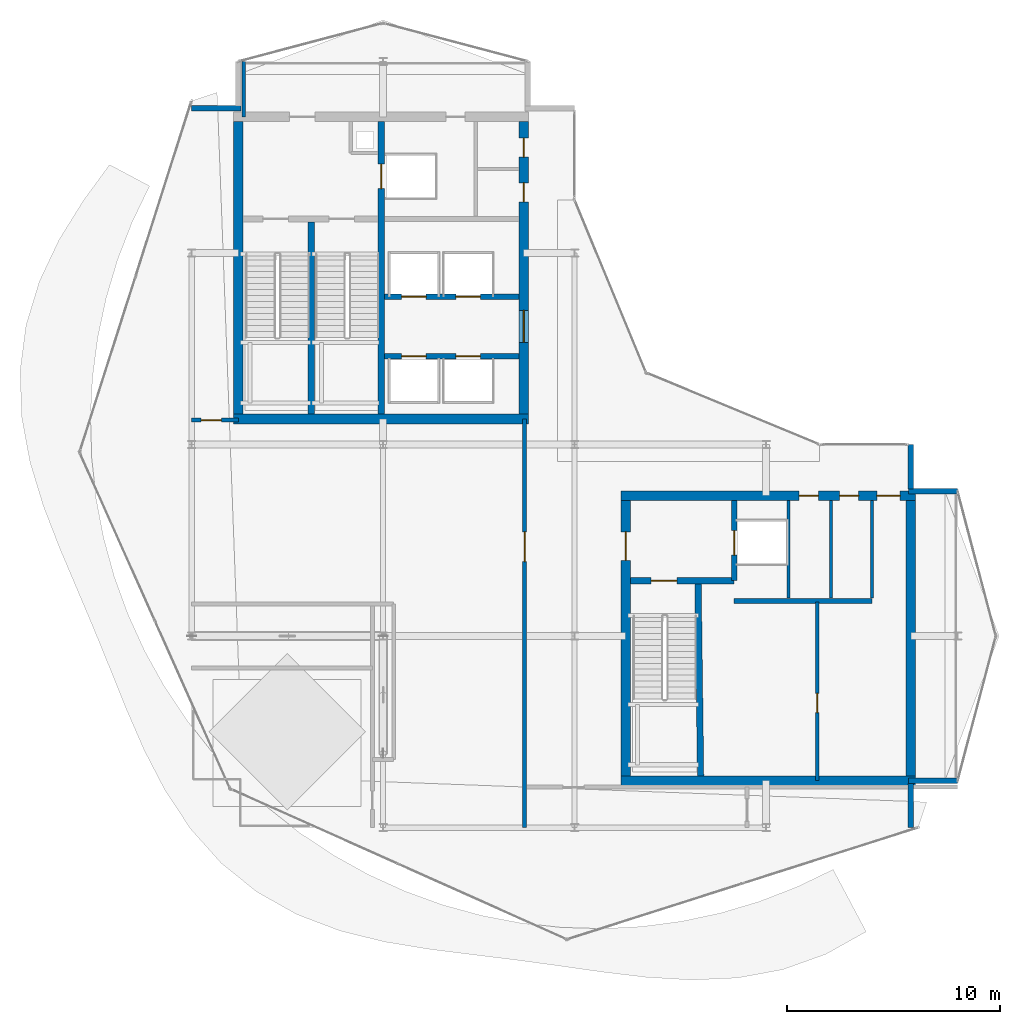
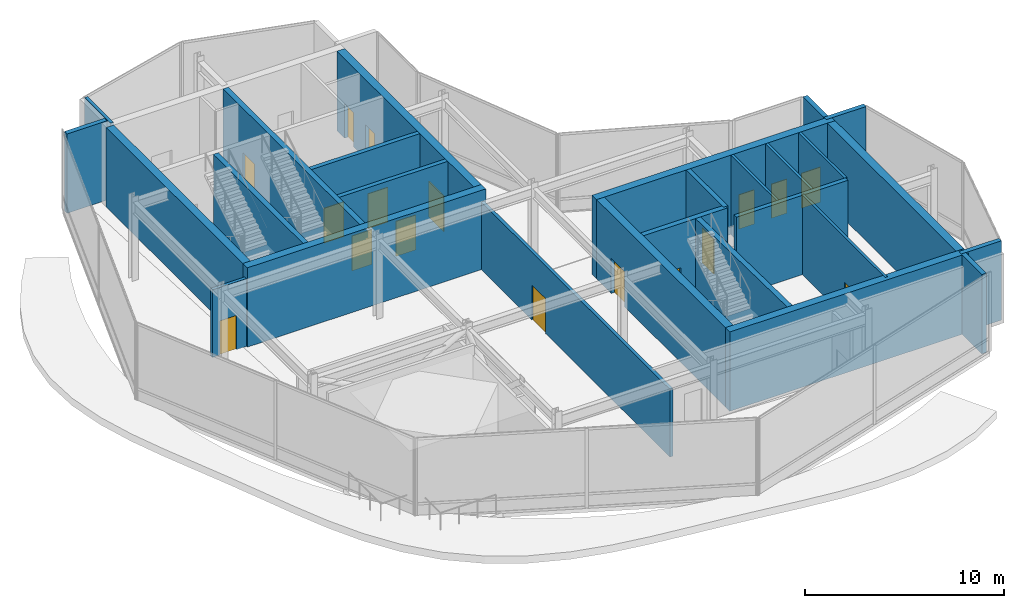
# One storey, part 17 of 21: 27 walls, 17 doors, 17 openings.
"""IFC4 building model written with IfcOpenShell, lengths in metres."""

from ifc_helpers import new_model, si_unit, direction, frame, frame_2d, origin, place, context, subcontext, project, spatial, rectangle, extrude, material, layer, layer_set, type_object, element, fill, save


model = new_model("IFC4")

# Units and contexts
model_context = context("Model", 3, precision=1e-05, world=origin(), true_north=direction((0.0, 1.0)))
body_context = subcontext(model_context, "Body", "Model", "MODEL_VIEW")
ifc_project = project(units=[si_unit("LENGTHUNIT", "METRE"), si_unit("AREAUNIT", "SQUARE_METRE"), si_unit("VOLUMEUNIT", "CUBIC_METRE"), si_unit("PLANEANGLEUNIT", "RADIAN"), si_unit("MASSUNIT", "GRAM", prefix="KILO")], contexts=[model_context])

# Site, building, storey
site_placement = place(None, origin())
site = spatial("IfcSite", under=ifc_project, at=site_placement, CompositionType="ELEMENT")
building_placement = place(site_placement, origin())
building = spatial("IfcBuilding", under=site, at=building_placement, Name="Solvaryn Broadcast Tower", CompositionType="ELEMENT")
storey_placement = place(building_placement, frame((0.0, 0.0, 297.39990234375)))
storey = spatial("IfcBuildingStorey", under=building, at=storey_placement, Name="L75", CompositionType="ELEMENT", Elevation=297.39990234375)

# Walls
ifc_material_1 = material(Name="Concrete f'c 70 MPa", Category="concrete")
ifc_layer_1 = layer(ifc_material_1, 0.449951171875)
ifc_layer_set_1 = layer_set([ifc_layer_1], Name="CW-SHEAR-450")
wall_type_1 = type_object("IfcWallType", Name="CW-SHEAR-450", PredefinedType="SHEAR", material=ifc_layer_set_1)
wall_1_placement = place(storey_placement, frame((10.97509765625, 28.199951171875, 0.0), z_axis=(0.0, 0.0, 1.0), x_axis=(1.0, 0.0, 0.0)))
element("IfcWall", 1, at=wall_1_placement, inside=storey, type_object=wall_type_1, Name="L75 West Core South Shear Wall", PredefinedType="SHEAR", context=body_context, shape_type="SweptSolid", body=[
    extrude(rectangle(XDim=13.849853515625, YDim=0.449951171875, at=frame_2d((6.9248046875, 0.0))), origin(), (0.0, 0.0, 1.0), 4.8701171875),
])
wall_2_placement = place(storey_placement, frame((11.199951171875, 42.175048828125, 0.0), z_axis=(0.0, 0.0, 1.0), x_axis=(0.0, -1.0, 0.0)))
element("IfcWall", 2, at=wall_2_placement, inside=storey, type_object=wall_type_1, Name="L75 West Core West Shear Wall", PredefinedType="SHEAR", context=body_context, shape_type="SweptSolid", body=[
    extrude(rectangle(XDim=13.75, YDim=0.449951171875, at=frame_2d((6.875, 0.0))), origin(), (0.0, 0.0, 1.0), 4.8701171875),
])

# Wall, openings, doors
wall_3_placement = place(storey_placement, frame((24.60009765625, 28.425048828125, 0.0), z_axis=(0.0, 0.0, 1.0), x_axis=(0.0, 1.0, 0.0)))
wall_3 = element("IfcWall", 3, at=wall_3_placement, inside=storey, type_object=wall_type_1, Name="L75 West Core East Shear Wall", PredefinedType="SHEAR", context=body_context, shape_type="SweptSolid", body=[
    extrude(rectangle(XDim=13.75, YDim=0.449951171875, at=frame_2d((6.875, 0.0))), origin(), (0.0, 0.0, 1.0), 4.8701171875),
])
opening_1_placement = place(wall_3_placement, frame((3.375, 0.0, 0.0)))
opening_1 = element("IfcOpeningElement", 4, at=opening_1_placement, cuts=wall_3, Name="Opening FD60A", PredefinedType="OPENING", context=body_context, shape_type="SweptSolid", body=[
    extrude(rectangle(XDim=1.5, YDim=2.199951171875, at=frame_2d((0.75, 1.10009765625))), frame((0.0, 0.235107421875, 0.0), z_axis=(0.0, -1.0, 0.0), x_axis=(1.0, 0.0, 0.0)), (0.0, 0.0, 1.0), 0.469970703125),
])
opening_2_placement = place(wall_3_placement, frame((9.97509765625, 0.0, 0.0)))
opening_2 = element("IfcOpeningElement", 5, at=opening_2_placement, cuts=wall_3, Name="Opening FD60C", PredefinedType="OPENING", context=body_context, shape_type="SweptSolid", body=[
    extrude(rectangle(XDim=0.89990234375, YDim=2.10009765625, at=frame_2d((0.449951171875, 1.050048828125))), frame((0.0, 0.235107421875, 0.0), z_axis=(0.0, -1.0, 0.0), x_axis=(1.0, 0.0, 0.0)), (0.0, 0.0, 1.0), 0.469970703125),
])
opening_3_placement = place(wall_3_placement, frame((12.074951171875, 0.0, 0.0)))
opening_3 = element("IfcOpeningElement", 6, at=opening_3_placement, cuts=wall_3, Name="Opening FD60C", PredefinedType="OPENING", context=body_context, shape_type="SweptSolid", body=[
    extrude(rectangle(XDim=0.89990234375, YDim=2.10009765625, at=frame_2d((0.449951171875, 1.050048828125))), frame((0.0, 0.235107421875, 0.0), z_axis=(0.0, -1.0, 0.0), x_axis=(1.0, 0.0, 0.0)), (0.0, 0.0, 1.0), 0.469970703125),
])
ifc_material_2 = material(Name="Flush Acoustic Steel and Timber Door Assembly", Category="steel")
door_type_1 = type_object("IfcDoorType", Name="FD60-CORR-1500X2200", OperationType="NOTDEFINED", PredefinedType="DOOR", material=ifc_material_2)
door_1_placement = place(opening_1_placement, origin())
door_1 = element("IfcDoor", 7, at=door_1_placement, inside=storey, type_object=door_type_1, Name="L75 West Elevator Lobby Corridor Door", OperationType="DOUBLE_DOOR_SINGLE_SWING", OverallHeight=2.199951171875, OverallWidth=1.5, PredefinedType="DOOR", context=body_context, shape_type="SweptSolid", body=[
    extrude(rectangle(XDim=1.5, YDim=2.199951171875, at=frame_2d((0.75, 1.10009765625))), frame((0.0, 0.02490234375, 0.0), z_axis=(0.0, -1.0, 0.0), x_axis=(1.0, 0.0, 0.0)), (0.0, 0.0, 1.0), 0.050048828125),
])
fill(opening_1, door_1)
ifc_material_3 = material(Name="Flush Acoustic Steel and Timber Door Assembly", Category="steel")
door_type_2 = type_object("IfcDoorType", Name="FD60-SERV-900X2100", OperationType="NOTDEFINED", PredefinedType="DOOR", material=ifc_material_3)
door_2_placement = place(opening_2_placement, origin())
door_2 = element("IfcDoor", 8, at=door_2_placement, inside=storey, type_object=door_type_2, Name="L75 West Core Service Door 1", OperationType="SINGLE_SWING_LEFT", OverallHeight=2.10009765625, OverallWidth=0.89990234375, PredefinedType="DOOR", context=body_context, shape_type="SweptSolid", body=[
    extrude(rectangle(XDim=0.89990234375, YDim=2.10009765625, at=frame_2d((0.449951171875, 1.050048828125))), frame((0.0, 0.02490234375, 0.0), z_axis=(0.0, -1.0, 0.0), x_axis=(1.0, 0.0, 0.0)), (0.0, 0.0, 1.0), 0.050048828125),
])
fill(opening_2, door_2)
door_3_placement = place(opening_3_placement, origin())
door_3 = element("IfcDoor", 9, at=door_3_placement, inside=storey, type_object=door_type_2, Name="L75 West Core Janitor Door", OperationType="SINGLE_SWING_RIGHT", OverallHeight=2.10009765625, OverallWidth=0.89990234375, PredefinedType="DOOR", context=body_context, shape_type="SweptSolid", body=[
    extrude(rectangle(XDim=0.89990234375, YDim=2.10009765625, at=frame_2d((0.449951171875, 1.050048828125))), frame((0.0, 0.02490234375, 0.0), z_axis=(0.0, -1.0, 0.0), x_axis=(1.0, 0.0, 0.0)), (0.0, 0.0, 1.0), 0.050048828125),
])
fill(opening_3, door_3)

# Wall
wall_4_placement = place(storey_placement, frame((29.175048828125, 11.199951171875, 0.0), z_axis=(0.0, 0.0, 1.0), x_axis=(1.0, 0.0, 0.0)))
element("IfcWall", 10, at=wall_4_placement, inside=storey, type_object=wall_type_1, Name="L75 East Core South Shear Wall", PredefinedType="SHEAR", context=body_context, shape_type="SweptSolid", body=[
    extrude(rectangle(XDim=13.849853515625, YDim=0.449951171875, at=frame_2d((6.9248046875, 0.0))), origin(), (0.0, 0.0, 1.0), 4.8701171875),
])

# Wall, openings, doors
wall_5_placement = place(storey_placement, frame((43.02490234375, 24.60009765625, 0.0), z_axis=(0.0, 0.0, 1.0), x_axis=(-1.0, 0.0, 0.0)))
wall_5 = element("IfcWall", 11, at=wall_5_placement, inside=storey, type_object=wall_type_1, Name="L75 East Core North Shear Wall", PredefinedType="SHEAR", context=body_context, shape_type="SweptSolid", body=[
    extrude(rectangle(XDim=13.849853515625, YDim=0.449951171875, at=frame_2d((6.9248046875, 0.0))), origin(), (0.0, 0.0, 1.0), 4.8701171875),
])
opening_4_placement = place(wall_5_placement, frame((0.72509765625, 0.0, 0.0)))
opening_4 = element("IfcOpeningElement", 12, at=opening_4_placement, cuts=wall_5, Name="Opening FD90C", PredefinedType="OPENING", context=body_context, shape_type="SweptSolid", body=[
    extrude(rectangle(XDim=1.10009765625, YDim=2.14990234375, at=frame_2d((0.550048828125, 1.074951171875))), frame((0.0, 0.235107421875, 0.0), z_axis=(0.0, -1.0, 0.0), x_axis=(1.0, 0.0, 0.0)), (0.0, 0.0, 1.0), 0.469970703125),
])
opening_5_placement = place(wall_5_placement, frame((2.675048828125, 0.0, 0.0)))
opening_5 = element("IfcOpeningElement", 13, at=opening_5_placement, cuts=wall_5, Name="Opening FD60C", PredefinedType="OPENING", context=body_context, shape_type="SweptSolid", body=[
    extrude(rectangle(XDim=0.89990234375, YDim=2.10009765625, at=frame_2d((0.449951171875, 1.050048828125))), frame((0.0, 0.235107421875, 0.0), z_axis=(0.0, -1.0, 0.0), x_axis=(1.0, 0.0, 0.0)), (0.0, 0.0, 1.0), 0.469970703125),
])
opening_6_placement = place(wall_5_placement, frame((4.574951171875, 0.0, 0.0)))
opening_6 = element("IfcOpeningElement", 14, at=opening_6_placement, cuts=wall_5, Name="Opening FD60C", PredefinedType="OPENING", context=body_context, shape_type="SweptSolid", body=[
    extrude(rectangle(XDim=0.89990234375, YDim=2.10009765625, at=frame_2d((0.449951171875, 1.050048828125))), frame((0.0, 0.235107421875, 0.0), z_axis=(0.0, -1.0, 0.0), x_axis=(1.0, 0.0, 0.0)), (0.0, 0.0, 1.0), 0.469970703125),
])
door_4_placement = place(opening_5_placement, origin())
door_4 = element("IfcDoor", 15, at=door_4_placement, inside=storey, type_object=door_type_2, Name="L75 Staff Restroom Door", OperationType="SINGLE_SWING_LEFT", OverallHeight=2.10009765625, OverallWidth=0.89990234375, PredefinedType="DOOR", context=body_context, shape_type="SweptSolid", body=[
    extrude(rectangle(XDim=0.89990234375, YDim=2.10009765625, at=frame_2d((0.449951171875, 1.050048828125))), frame((0.0, 0.02490234375, 0.0), z_axis=(0.0, -1.0, 0.0), x_axis=(1.0, 0.0, 0.0)), (0.0, 0.0, 1.0), 0.050048828125),
])
fill(opening_5, door_4)
door_5_placement = place(opening_6_placement, origin())
door_5 = element("IfcDoor", 16, at=door_5_placement, inside=storey, type_object=door_type_2, Name="L75 Accessible WC Door", OperationType="SINGLE_SWING_RIGHT", OverallHeight=2.10009765625, OverallWidth=0.89990234375, PredefinedType="DOOR", context=body_context, shape_type="SweptSolid", body=[
    extrude(rectangle(XDim=0.89990234375, YDim=2.10009765625, at=frame_2d((0.449951171875, 1.050048828125))), frame((0.0, 0.02490234375, 0.0), z_axis=(0.0, -1.0, 0.0), x_axis=(1.0, 0.0, 0.0)), (0.0, 0.0, 1.0), 0.050048828125),
])
fill(opening_6, door_5)
ifc_material_4 = material(Name="Flush Acoustic Steel and Timber Door Assembly", Category="steel")
door_type_3 = type_object("IfcDoorType", Name="FD90-PLANT-1100X2150", OperationType="NOTDEFINED", PredefinedType="DOOR", material=ifc_material_4)
door_6_placement = place(opening_4_placement, origin())
door_6 = element("IfcDoor", 17, at=door_6_placement, inside=storey, type_object=door_type_3, Name="L75 East Core Lobby Corridor Door", OperationType="SINGLE_SWING_LEFT", OverallHeight=2.14990234375, OverallWidth=1.10009765625, PredefinedType="DOOR", context=body_context, shape_type="SweptSolid", body=[
    extrude(rectangle(XDim=1.10009765625, YDim=2.14990234375, at=frame_2d((0.550048828125, 1.074951171875))), frame((0.0, 0.02490234375, 0.0), z_axis=(0.0, -1.0, 0.0), x_axis=(1.0, 0.0, 0.0)), (0.0, 0.0, 1.0), 0.050048828125),
])
fill(opening_4, door_6)

# Wall, opening, door
wall_6_placement = place(storey_placement, frame((29.39990234375, 24.375, 0.0), z_axis=(0.0, 0.0, 1.0), x_axis=(0.0, -1.0, 0.0)))
wall_6 = element("IfcWall", 18, at=wall_6_placement, inside=storey, type_object=wall_type_1, Name="L75 East Core West Shear Wall", PredefinedType="SHEAR", context=body_context, shape_type="SweptSolid", body=[
    extrude(rectangle(XDim=12.949951171875, YDim=0.449951171875, at=frame_2d((6.47509765625, 0.0))), origin(), (0.0, 0.0, 1.0), 4.8701171875),
])
opening_7_placement = place(wall_6_placement, frame((1.47509765625, 0.0, 0.0)))
opening_7 = element("IfcOpeningElement", 19, at=opening_7_placement, cuts=wall_6, Name="Opening FD90B", PredefinedType="OPENING", context=body_context, shape_type="SweptSolid", body=[
    extrude(rectangle(XDim=1.35009765625, YDim=2.14990234375, at=frame_2d((0.675048828125, 1.074951171875))), frame((0.0, 0.235107421875, 0.0), z_axis=(0.0, -1.0, 0.0), x_axis=(1.0, 0.0, 0.0)), (0.0, 0.0, 1.0), 0.469970703125),
])
ifc_material_5 = material(Name="Flush Acoustic Steel and Timber Door Assembly", Category="steel")
door_type_4 = type_object("IfcDoorType", Name="FD90-LOBBY-1350X2150", OperationType="NOTDEFINED", PredefinedType="DOOR", material=ifc_material_5)
door_7_placement = place(opening_7_placement, origin())
door_7 = element("IfcDoor", 20, at=door_7_placement, inside=storey, type_object=door_type_4, Name="L75 East FSAE Lobby Door", OperationType="SINGLE_SWING_RIGHT", OverallHeight=2.14990234375, OverallWidth=1.35009765625, PredefinedType="DOOR", context=body_context, shape_type="SweptSolid", body=[
    extrude(rectangle(XDim=1.35009765625, YDim=2.14990234375, at=frame_2d((0.675048828125, 1.074951171875))), frame((0.0, 0.02490234375, 0.0), z_axis=(0.0, -1.0, 0.0), x_axis=(1.0, 0.0, 0.0)), (0.0, 0.0, 1.0), 0.050048828125),
])
fill(opening_7, door_7)

# Walls
wall_7_placement = place(storey_placement, frame((42.800048828125, 11.425048828125, 0.0), z_axis=(0.0, 0.0, 1.0), x_axis=(0.0, 1.0, 0.0)))
element("IfcWall", 21, at=wall_7_placement, inside=storey, type_object=wall_type_1, Name="L75 East Core East Shear Wall", PredefinedType="SHEAR", context=body_context, shape_type="SweptSolid", body=[
    extrude(rectangle(XDim=12.949951171875, YDim=0.449951171875, at=frame_2d((6.47509765625, 0.0))), origin(), (0.0, 0.0, 1.0), 4.8701171875),
])
ifc_material_6 = material(Name="Concrete f'c 50 MPa", Category="concrete")
ifc_layer_2 = layer(ifc_material_6, 0.260009765625)
ifc_layer_set_2 = layer_set([ifc_layer_2], Name="EW-PIER-260")
wall_type_2 = type_object("IfcWallType", Name="EW-PIER-260", PredefinedType="SOLIDWALL", material=ifc_layer_set_2)
wall_8_placement = place(storey_placement, frame((9.0, 42.800048828125, 0.0), z_axis=(0.0, 0.0, 1.0), x_axis=(1.0, 0.0, 0.0)))
element("IfcWall", 22, at=wall_8_placement, inside=storey, type_object=wall_type_2, Name="L75 Notched Corner Pier Wall NNW1", PredefinedType="SOLIDWALL", context=body_context, shape_type="SweptSolid", body=[
    extrude(rectangle(XDim=2.320068359375, YDim=0.260009765625, at=frame_2d((1.16015625, 0.0))), origin(), (0.0, 0.0, 1.0), 4.8701171875),
])
wall_9_placement = place(storey_placement, frame((42.800048828125, 9.0, 0.0), z_axis=(0.0, 0.0, 1.0), x_axis=(0.0, 1.0, 0.0)))
element("IfcWall", 23, at=wall_9_placement, inside=storey, type_object=wall_type_2, Name="L75 Notched Corner Pier Wall NSE1", PredefinedType="SOLIDWALL", context=body_context, shape_type="SweptSolid", body=[
    extrude(rectangle(XDim=2.080078125, YDim=0.260009765625, at=frame_2d((1.0400390625, 0.0))), origin(), (0.0, 0.0, 1.0), 4.8701171875),
])
for number, where, z_axis, x_axis, name in (
    (24, (42.679931640625, 11.199951171875, 0.0), (0.0, 0.0, 1.0), (1.0, 0.0, 0.0), "L75 Notched Corner Pier Wall NSE2"),
    (25, (45.0, 24.800048828125, 0.0), (0.0, 0.0, 1.0), (-1.0, 0.0, 0.0), "L75 Notched Corner Pier Wall NEE1"),
):
    element("IfcWall", number, at=place(storey_placement, frame(where, z_axis=z_axis, x_axis=x_axis)), inside=storey, type_object=wall_type_2, Name=name, PredefinedType="SOLIDWALL", context=body_context, shape_type="SweptSolid", body=[
        extrude(rectangle(XDim=2.320068359375, YDim=0.260009765625, at=frame_2d((1.16015625, 0.0))), origin(), (0.0, 0.0, 1.0), 4.8701171875),
    ])
wall_10_placement = place(storey_placement, frame((42.800048828125, 24.919921875, 0.0), z_axis=(0.0, 0.0, 1.0), x_axis=(0.0, 1.0, 0.0)))
element("IfcWall", 26, at=wall_10_placement, inside=storey, type_object=wall_type_2, Name="L75 Notched Corner Pier Wall NEE2", PredefinedType="SOLIDWALL", context=body_context, shape_type="SweptSolid", body=[
    extrude(rectangle(XDim=2.080078125, YDim=0.260009765625, at=frame_2d((1.0400390625, 0.0))), origin(), (0.0, 0.0, 1.0), 4.8701171875),
])

# Wall, opening, door
ifc_material_7 = material(Name="Metal-Stud Service Core Partition")
ifc_layer_3 = layer(ifc_material_7, 0.14990234375)
ifc_layer_set_3 = layer_set([ifc_layer_3], Name="IW-PART-150")
wall_type_3 = type_object("IfcWallType", Name="IW-PART-150", PredefinedType="PARTITIONING", material=ifc_layer_set_3)
wall_11_placement = place(storey_placement, frame((38.39990234375, 11.199951171875, 0.0), z_axis=(0.0, 0.0, 1.0), x_axis=(0.0, 1.0, 0.0)))
wall_11 = element("IfcWall", 27, at=wall_11_placement, inside=storey, type_object=wall_type_3, Name="L75 Interior Partition IW-L75-RPM-V", PredefinedType="PARTITIONING", context=body_context, shape_type="SweptSolid", body=[
    extrude(rectangle(XDim=8.400146484375, YDim=0.14990234375, at=frame_2d((4.2001953125, 0.0))), origin(), (0.0, 0.0, 1.0), 4.8701171875),
])
opening_8_placement = place(wall_11_placement, frame((3.199951171875, 0.0, 0.0)))
opening_8 = element("IfcOpeningElement", 28, at=opening_8_placement, cuts=wall_11, Name="Opening FD60C", PredefinedType="OPENING", context=body_context, shape_type="SweptSolid", body=[
    extrude(rectangle(XDim=0.89990234375, YDim=2.10009765625, at=frame_2d((0.449951171875, 1.050048828125))), frame((0.0, 0.0849609375, 0.0), z_axis=(0.0, -1.0, 0.0), x_axis=(1.0, 0.0, 0.0)), (0.0, 0.0, 1.0), 0.169921875),
])
door_8_placement = place(opening_8_placement, origin())
door_8 = element("IfcDoor", 29, at=door_8_placement, inside=storey, type_object=door_type_2, Name="L75 Door DR-L75-RPM1", OperationType="SINGLE_SWING_LEFT", OverallHeight=2.10009765625, OverallWidth=0.89990234375, PredefinedType="DOOR", context=body_context, shape_type="SweptSolid", body=[
    extrude(rectangle(XDim=0.89990234375, YDim=2.10009765625, at=frame_2d((0.449951171875, 1.050048828125))), frame((0.0, 0.02490234375, 0.0), z_axis=(0.0, -1.0, 0.0), x_axis=(1.0, 0.0, 0.0)), (0.0, 0.0, 1.0), 0.050048828125),
])
fill(opening_8, door_8)

# Walls
for number, where, z_axis, x_axis, name in (
    (30, (37.050048828125, 19.780029296875, 0.0), (0.0, 0.0, 1.0), (0.0, 1.0, 0.0), "L75 Interior Partition IW-L75-CE-FL2E"),
    (31, (39.050048828125, 19.780029296875, 0.0), (0.0, 0.0, 1.0), (0.0, 1.0, 0.0), "L75 Interior Partition IW-L75-CE-V1"),
    (32, (40.97998046875, 19.780029296875, 0.0), (0.0, 0.0, 1.0), (0.0, 1.0, 0.0), "L75 Interior Partition IW-L75-CE-V3"),
):
    element("IfcWall", number, at=place(storey_placement, frame(where, z_axis=z_axis, x_axis=x_axis)), inside=storey, type_object=wall_type_3, Name=name, PredefinedType="PARTITIONING", context=body_context, shape_type="SweptSolid", body=[
        extrude(rectangle(XDim=4.594970703125, YDim=0.14990234375, at=frame_2d((2.29736328125, 0.0))), origin(), (0.0, 0.0, 1.0), 4.8701171875),
    ])

# Wall, opening, door
ifc_material_8 = material(Name="Acoustic Metal-Stud Gypsum Partition")
ifc_layer_4 = layer(ifc_material_8, 0.179931640625)
ifc_layer_set_4 = layer_set([ifc_layer_4], Name="IW-PART-180")
wall_type_4 = type_object("IfcWallType", Name="IW-PART-180", PredefinedType="PARTITIONING", material=ifc_layer_set_4)
wall_12_placement = place(storey_placement, frame((24.64990234375, 9.0, 0.0), z_axis=(0.0, 0.0, 1.0), x_axis=(0.0, 1.0, 0.0)))
wall_12 = element("IfcWall", 33, at=wall_12_placement, inside=storey, type_object=wall_type_4, Name="L75 Interior Partition IW-L75-TW1", PredefinedType="PARTITIONING", context=body_context, shape_type="SweptSolid", body=[
    extrude(rectangle(XDim=19.199951171875, YDim=0.179931640625, at=frame_2d((9.60009765625, 0.0))), origin(), (0.0, 0.0, 1.0), 4.156982421875),
])
opening_9_placement = place(wall_12_placement, frame((12.5, 0.0, 0.0)))
opening_9 = element("IfcOpeningElement", 34, at=opening_9_placement, cuts=wall_12, Name="Opening ID05", PredefinedType="OPENING", context=body_context, shape_type="SweptSolid", body=[
    extrude(rectangle(XDim=1.39990234375, YDim=2.14990234375, at=frame_2d((0.699951171875, 1.074951171875))), frame((0.0, 0.099853515625, 0.0), z_axis=(0.0, -1.0, 0.0), x_axis=(1.0, 0.0, 0.0)), (0.0, 0.0, 1.0), 0.199951171875),
])
ifc_material_9 = material(Name="Flush Acoustic Steel and Timber Door Assembly", Category="steel")
door_type_5 = type_object("IfcDoorType", Name="ID-05-1400X2150", OperationType="NOTDEFINED", PredefinedType="DOOR", material=ifc_material_9)
door_9_placement = place(opening_9_placement, origin())
door_9 = element("IfcDoor", 35, at=door_9_placement, inside=storey, type_object=door_type_5, Name="L75 Door DR-L75-TD1", OperationType="DOUBLE_DOOR_SINGLE_SWING", OverallHeight=2.14990234375, OverallWidth=1.39990234375, PredefinedType="DOOR", context=body_context, shape_type="SweptSolid", body=[
    extrude(rectangle(XDim=1.39990234375, YDim=2.14990234375, at=frame_2d((0.699951171875, 1.074951171875))), frame((0.0, 0.02490234375, 0.0), z_axis=(0.0, -1.0, 0.0), x_axis=(1.0, 0.0, 0.0)), (0.0, 0.0, 1.0), 0.050048828125),
])
fill(opening_9, door_9)

wall_13_placement = place(storey_placement, frame((9.0, 28.14990234375, 0.0), z_axis=(0.0, 0.0, 1.0), x_axis=(1.0, 0.0, 0.0)))
wall_13 = element("IfcWall", 36, at=wall_13_placement, inside=storey, type_object=wall_type_4, Name="L75 Interior Partition IW-L75-TW2", PredefinedType="PARTITIONING", context=body_context, shape_type="SweptSolid", body=[
    extrude(rectangle(XDim=2.199951171875, YDim=0.179931640625, at=frame_2d((1.10009765625, 0.0))), origin(), (0.0, 0.0, 1.0), 4.156982421875),
])
opening_10_placement = place(wall_13_placement, frame((0.449951171875, 0.0, 0.0)))
opening_10 = element("IfcOpeningElement", 37, at=opening_10_placement, cuts=wall_13, Name="Opening ID01", PredefinedType="OPENING", context=body_context, shape_type="SweptSolid", body=[
    extrude(rectangle(XDim=0.949951171875, YDim=2.10009765625, at=frame_2d((0.47509765625, 1.050048828125))), frame((0.0, 0.099853515625, 0.0), z_axis=(0.0, -1.0, 0.0), x_axis=(1.0, 0.0, 0.0)), (0.0, 0.0, 1.0), 0.199951171875),
])
ifc_material_10 = material(Name="Flush Acoustic Steel and Timber Door Assembly", Category="steel")
door_type_6 = type_object("IfcDoorType", Name="ID-01-950X2100", OperationType="NOTDEFINED", PredefinedType="DOOR", material=ifc_material_10)
door_10_placement = place(opening_10_placement, origin())
door_10 = element("IfcDoor", 38, at=door_10_placement, inside=storey, type_object=door_type_6, Name="L75 Door DR-L75-TD2", OperationType="SINGLE_SWING_RIGHT", OverallHeight=2.10009765625, OverallWidth=0.949951171875, PredefinedType="DOOR", context=body_context, shape_type="SweptSolid", body=[
    extrude(rectangle(XDim=0.949951171875, YDim=2.10009765625, at=frame_2d((0.47509765625, 1.050048828125))), frame((0.0, 0.02490234375, 0.0), z_axis=(0.0, -1.0, 0.0), x_axis=(1.0, 0.0, 0.0)), (0.0, 0.0, 1.0), 0.050048828125),
])
fill(opening_10, door_10)

# Wall
wall_14_placement = place(storey_placement, frame((11.449951171875, 42.39990234375, 0.0), z_axis=(0.0, 0.0, 1.0), x_axis=(0.0, 1.0, 0.0)))
element("IfcWall", 39, at=wall_14_placement, inside=storey, type_object=wall_type_4, Name="L75 Interior Partition IW-L75-TW3", PredefinedType="PARTITIONING", context=body_context, shape_type="SweptSolid", body=[
    extrude(rectangle(XDim=2.60009765625, YDim=0.179931640625, at=frame_2d((1.300048828125, 0.0))), origin(), (0.0, 0.0, 1.0), 4.8701171875),
])

# Wall, openings, doors
ifc_material_11 = material(Name="Concrete f'c 60 MPa", Category="concrete")
ifc_layer_5 = layer(ifc_material_11, 0.25)
ifc_layer_set_5 = layer_set([ifc_layer_5], Name="SW-SHAFT-250")
wall_type_5 = type_object("IfcWallType", Name="SW-SHAFT-250", PredefinedType="PARTITIONING", material=ifc_layer_set_5)
wall_15_placement = place(storey_placement, frame((18.070068359375, 31.14990234375, 0.0), z_axis=(0.0, 0.0, 1.0), x_axis=(1.0, 0.0, 0.0)))
wall_15 = element("IfcWall", 40, at=wall_15_placement, inside=storey, type_object=wall_type_5, Name="L75 High-Rise Lift Bank South Wall", PredefinedType="PARTITIONING", context=body_context, shape_type="SweptSolid", body=[
    extrude(rectangle(XDim=6.304931640625, YDim=0.25, at=frame_2d((3.15234375, 0.0))), origin(), (0.0, 0.0, 1.0), 4.8701171875),
])
opening_11_placement = place(wall_15_placement, frame((0.804931640625, 0.0, 0.0)))
opening_11 = element("IfcOpeningElement", 41, at=opening_11_placement, cuts=wall_15, Name="Opening LD01", PredefinedType="OPENING", context=body_context, shape_type="SweptSolid", body=[
    extrude(rectangle(XDim=1.14990234375, YDim=2.14990234375, at=frame_2d((0.574951171875, 1.074951171875))), frame((0.0, 0.135009765625, 0.0), z_axis=(0.0, -1.0, 0.0), x_axis=(1.0, 0.0, 0.0)), (0.0, 0.0, 1.0), 0.27001953125),
])
opening_12_placement = place(wall_15_placement, frame((3.35498046875, 0.0, 0.0)))
opening_12 = element("IfcOpeningElement", 42, at=opening_12_placement, cuts=wall_15, Name="Opening LD01", PredefinedType="OPENING", context=body_context, shape_type="SweptSolid", body=[
    extrude(rectangle(XDim=1.14990234375, YDim=2.14990234375, at=frame_2d((0.574951171875, 1.074951171875))), frame((0.0, 0.135009765625, 0.0), z_axis=(0.0, -1.0, 0.0), x_axis=(1.0, 0.0, 0.0)), (0.0, 0.0, 1.0), 0.27001953125),
])
ifc_material_12 = material(Name="Flush Acoustic Steel and Timber Door Assembly", Category="steel")
door_type_7 = type_object("IfcDoorType", Name="LD-LIFT-1150X2150", OperationType="NOTDEFINED", PredefinedType="DOOR", material=ifc_material_12)
door_11_placement = place(opening_11_placement, origin())
door_11 = element("IfcDoor", 43, at=door_11_placement, inside=storey, type_object=door_type_7, Name="L75 PH1 Lift Landing Door", OperationType="DOUBLE_DOOR_SLIDING", OverallHeight=2.14990234375, OverallWidth=1.14990234375, PredefinedType="DOOR", context=body_context, shape_type="SweptSolid", body=[
    extrude(rectangle(XDim=1.14990234375, YDim=2.14990234375, at=frame_2d((0.574951171875, 1.074951171875))), frame((0.0, 0.02490234375, 0.0), z_axis=(0.0, -1.0, 0.0), x_axis=(1.0, 0.0, 0.0)), (0.0, 0.0, 1.0), 0.050048828125),
])
fill(opening_11, door_11)
door_12_placement = place(opening_12_placement, origin())
door_12 = element("IfcDoor", 44, at=door_12_placement, inside=storey, type_object=door_type_7, Name="L75 PH2 Lift Landing Door", OperationType="DOUBLE_DOOR_SLIDING", OverallHeight=2.14990234375, OverallWidth=1.14990234375, PredefinedType="DOOR", context=body_context, shape_type="SweptSolid", body=[
    extrude(rectangle(XDim=1.14990234375, YDim=2.14990234375, at=frame_2d((0.574951171875, 1.074951171875))), frame((0.0, 0.02490234375, 0.0), z_axis=(0.0, -1.0, 0.0), x_axis=(1.0, 0.0, 0.0)), (0.0, 0.0, 1.0), 0.050048828125),
])
fill(opening_12, door_12)

wall_16_placement = place(storey_placement, frame((24.375, 33.949951171875, 0.0), z_axis=(0.0, 0.0, 1.0), x_axis=(-1.0, 0.0, 0.0)))
wall_16 = element("IfcWall", 45, at=wall_16_placement, inside=storey, type_object=wall_type_5, Name="L75 High-Rise Lift Bank North Wall", PredefinedType="PARTITIONING", context=body_context, shape_type="SweptSolid", body=[
    extrude(rectangle(XDim=6.304931640625, YDim=0.25, at=frame_2d((3.15234375, 0.0))), origin(), (0.0, 0.0, 1.0), 4.8701171875),
])
opening_13_placement = place(wall_16_placement, frame((4.35009765625, 0.0, 0.0)))
opening_13 = element("IfcOpeningElement", 46, at=opening_13_placement, cuts=wall_16, Name="Opening LD01", PredefinedType="OPENING", context=body_context, shape_type="SweptSolid", body=[
    extrude(rectangle(XDim=1.14990234375, YDim=2.14990234375, at=frame_2d((0.574951171875, 1.074951171875))), frame((0.0, 0.135009765625, 0.0), z_axis=(0.0, -1.0, 0.0), x_axis=(1.0, 0.0, 0.0)), (0.0, 0.0, 1.0), 0.27001953125),
])
opening_14_placement = place(wall_16_placement, frame((1.800048828125, 0.0, 0.0)))
opening_14 = element("IfcOpeningElement", 47, at=opening_14_placement, cuts=wall_16, Name="Opening LD01", PredefinedType="OPENING", context=body_context, shape_type="SweptSolid", body=[
    extrude(rectangle(XDim=1.14990234375, YDim=2.14990234375, at=frame_2d((0.574951171875, 1.074951171875))), frame((0.0, 0.135009765625, 0.0), z_axis=(0.0, -1.0, 0.0), x_axis=(1.0, 0.0, 0.0)), (0.0, 0.0, 1.0), 0.27001953125),
])
door_13_placement = place(opening_13_placement, origin())
door_13 = element("IfcDoor", 48, at=door_13_placement, inside=storey, type_object=door_type_7, Name="L75 PH3 Lift Landing Door", OperationType="DOUBLE_DOOR_SLIDING", OverallHeight=2.14990234375, OverallWidth=1.14990234375, PredefinedType="DOOR", context=body_context, shape_type="SweptSolid", body=[
    extrude(rectangle(XDim=1.14990234375, YDim=2.14990234375, at=frame_2d((0.574951171875, 1.074951171875))), frame((0.0, 0.02490234375, 0.0), z_axis=(0.0, -1.0, 0.0), x_axis=(1.0, 0.0, 0.0)), (0.0, 0.0, 1.0), 0.050048828125),
])
fill(opening_13, door_13)
door_14_placement = place(opening_14_placement, origin())
door_14 = element("IfcDoor", 49, at=door_14_placement, inside=storey, type_object=door_type_7, Name="L75 PH4 Lift Landing Door", OperationType="DOUBLE_DOOR_SLIDING", OverallHeight=2.14990234375, OverallWidth=1.14990234375, PredefinedType="DOOR", context=body_context, shape_type="SweptSolid", body=[
    extrude(rectangle(XDim=1.14990234375, YDim=2.14990234375, at=frame_2d((0.574951171875, 1.074951171875))), frame((0.0, 0.02490234375, 0.0), z_axis=(0.0, -1.0, 0.0), x_axis=(1.0, 0.0, 0.0)), (0.0, 0.0, 1.0), 0.050048828125),
])
fill(opening_14, door_14)

# Wall, opening, door
wall_17_placement = place(storey_placement, frame((34.5, 20.60009765625, 0.0), z_axis=(0.0, 0.0, 1.0), x_axis=(0.0, 1.0, 0.0)))
wall_17 = element("IfcWall", 50, at=wall_17_placement, inside=storey, type_object=wall_type_5, Name="L75 East FSAE Lobby East Wall", PredefinedType="PARTITIONING", context=body_context, shape_type="SweptSolid", body=[
    extrude(rectangle(XDim=3.77490234375, YDim=0.25, at=frame_2d((1.887451171875, 0.0))), origin(), (0.0, 0.0, 1.0), 4.8701171875),
])
opening_15_placement = place(wall_17_placement, frame((1.199951171875, 0.0, 0.0)))
opening_15 = element("IfcOpeningElement", 51, at=opening_15_placement, cuts=wall_17, Name="Opening LD01", PredefinedType="OPENING", context=body_context, shape_type="SweptSolid", body=[
    extrude(rectangle(XDim=1.14990234375, YDim=2.14990234375, at=frame_2d((0.574951171875, 1.074951171875))), frame((0.0, 0.135009765625, 0.0), z_axis=(0.0, -1.0, 0.0), x_axis=(1.0, 0.0, 0.0)), (0.0, 0.0, 1.0), 0.27001953125),
])
door_15_placement = place(opening_15_placement, origin())
door_15 = element("IfcDoor", 52, at=door_15_placement, inside=storey, type_object=door_type_7, Name="L75 FL2 Lift Landing Door", OperationType="DOUBLE_DOOR_SLIDING", OverallHeight=2.14990234375, OverallWidth=1.14990234375, PredefinedType="DOOR", context=body_context, shape_type="SweptSolid", body=[
    extrude(rectangle(XDim=1.14990234375, YDim=2.14990234375, at=frame_2d((0.574951171875, 1.074951171875))), frame((0.0, 0.02490234375, 0.0), z_axis=(0.0, -1.0, 0.0), x_axis=(1.0, 0.0, 0.0)), (0.0, 0.0, 1.0), 0.050048828125),
])
fill(opening_15, door_15)

# Walls
wall_18_placement = place(storey_placement, frame((34.5, 19.64990234375, 0.0), z_axis=(0.0, 0.0, 1.0), x_axis=(1.0, 0.0, 0.0)))
element("IfcWall", 53, at=wall_18_placement, inside=storey, type_object=wall_type_5, Name="L75 East Core Restroom South Wall", PredefinedType="PARTITIONING", context=body_context, shape_type="SweptSolid", body=[
    extrude(rectangle(XDim=6.47998046875, YDim=0.25, at=frame_2d((3.239990234375, 0.0))), origin(), (0.0, 0.0, 1.0), 4.8701171875),
])
ifc_material_13 = material(Name="Concrete f'c 70 MPa", Category="concrete")
ifc_layer_6 = layer(ifc_material_13, 0.300048828125)
ifc_layer_set_6 = layer_set([ifc_layer_6], Name="SW-SHAFT-300")
wall_type_6 = type_object("IfcWallType", Name="SW-SHAFT-300", PredefinedType="SHEAR", material=ifc_layer_set_6)
wall_19_placement = place(storey_placement, frame((14.6201171875, 28.425048828125, 0.0), z_axis=(0.0, 0.0, 1.0), x_axis=(0.0, 1.0, 0.0)))
element("IfcWall", 54, at=wall_19_placement, inside=storey, type_object=wall_type_6, Name="L75 Stair 1-2 Dividing Wall", PredefinedType="SHEAR", context=body_context, shape_type="SweptSolid", body=[
    extrude(rectangle(XDim=9.02490234375, YDim=0.300048828125, at=frame_2d((4.512451171875, 0.0))), origin(), (0.0, 0.0, 1.0), 4.8701171875),
])

# Wall, opening, door
wall_20_placement = place(storey_placement, frame((17.919921875, 42.175048828125, 0.0), z_axis=(0.0, 0.0, 1.0), x_axis=(0.0, -1.0, 0.0)))
wall_20 = element("IfcWall", 55, at=wall_20_placement, inside=storey, type_object=wall_type_6, Name="L75 West Core Stair-Lobby Shear Wall", PredefinedType="SHEAR", context=body_context, shape_type="SweptSolid", body=[
    extrude(rectangle(XDim=13.75, YDim=0.300048828125, at=frame_2d((6.875, 0.0))), origin(), (0.0, 0.0, 1.0), 4.8701171875),
])
opening_16_placement = place(wall_20_placement, frame((2.0, 0.0, 0.0)))
opening_16 = element("IfcOpeningElement", 56, at=opening_16_placement, cuts=wall_20, Name="Opening LD01", PredefinedType="OPENING", context=body_context, shape_type="SweptSolid", body=[
    extrude(rectangle(XDim=1.14990234375, YDim=2.14990234375, at=frame_2d((0.574951171875, 1.074951171875))), frame((0.0, 0.159912109375, 0.0), z_axis=(0.0, -1.0, 0.0), x_axis=(1.0, 0.0, 0.0)), (0.0, 0.0, 1.0), 0.320068359375),
])
door_16_placement = place(opening_16_placement, origin())
door_16 = element("IfcDoor", 57, at=door_16_placement, inside=storey, type_object=door_type_7, Name="L75 FL1 Lift Landing Door", OperationType="DOUBLE_DOOR_SLIDING", OverallHeight=2.14990234375, OverallWidth=1.14990234375, PredefinedType="DOOR", context=body_context, shape_type="SweptSolid", body=[
    extrude(rectangle(XDim=1.14990234375, YDim=2.14990234375, at=frame_2d((0.574951171875, 1.074951171875))), frame((0.0, 0.02490234375, 0.0), z_axis=(0.0, -1.0, 0.0), x_axis=(1.0, 0.0, 0.0)), (0.0, 0.0, 1.0), 0.050048828125),
])
fill(opening_16, door_16)

# Wall
wall_21_placement = place(storey_placement, frame((32.919921875, 11.425048828125, 0.0), z_axis=(0.0, 0.0, 1.0), x_axis=(-0.013135638869, 0.999913723774, 0.0)))
element("IfcWall", 58, at=wall_21_placement, inside=storey, type_object=wall_type_6, Name="L75 Stair 3 East Shear Wall", PredefinedType="SHEAR", context=body_context, shape_type="SweptSolid", body=[
    extrude(rectangle(XDim=9.125732421875, YDim=0.300048828125, at=frame_2d((4.56298828125, 0.0))), origin(), (0.0, 0.0, 1.0), 4.8701171875),
])

# Wall, opening, door
wall_22_placement = place(storey_placement, frame((34.5, 20.60009765625, 0.0), z_axis=(0.0, 0.0, 1.0), x_axis=(-1.0, 0.0, 0.0)))
wall_22 = element("IfcWall", 59, at=wall_22_placement, inside=storey, type_object=wall_type_6, Name="L75 East FSAE Lobby South Wall", PredefinedType="SHEAR", context=body_context, shape_type="SweptSolid", body=[
    extrude(rectangle(XDim=4.875, YDim=0.300048828125, at=frame_2d((2.4375, 0.0))), origin(), (0.0, 0.0, 1.0), 4.8701171875),
])
opening_17_placement = place(wall_22_placement, frame((2.699951171875, 0.0, 0.0)))
opening_17 = element("IfcOpeningElement", 60, at=opening_17_placement, cuts=wall_22, Name="Opening FD90A", PredefinedType="OPENING", context=body_context, shape_type="SweptSolid", body=[
    extrude(rectangle(XDim=1.199951171875, YDim=2.14990234375, at=frame_2d((0.60009765625, 1.074951171875))), frame((0.0, 0.159912109375, 0.0), z_axis=(0.0, -1.0, 0.0), x_axis=(1.0, 0.0, 0.0)), (0.0, 0.0, 1.0), 0.320068359375),
])
ifc_material_14 = material(Name="Flush Acoustic Steel and Timber Door Assembly", Category="steel")
door_type_8 = type_object("IfcDoorType", Name="FD90-STAIR-1200X2150", OperationType="NOTDEFINED", PredefinedType="DOOR", material=ifc_material_14)
door_17_placement = place(opening_17_placement, origin())
door_17 = element("IfcDoor", 61, at=door_17_placement, inside=storey, type_object=door_type_8, Name="L75 Stair 3 Fire Door", OperationType="SINGLE_SWING_LEFT", OverallHeight=2.14990234375, OverallWidth=1.199951171875, PredefinedType="DOOR", context=body_context, shape_type="SweptSolid", body=[
    extrude(rectangle(XDim=1.199951171875, YDim=2.14990234375, at=frame_2d((0.60009765625, 1.074951171875))), frame((0.0, 0.02490234375, 0.0), z_axis=(0.0, -1.0, 0.0), x_axis=(1.0, 0.0, 0.0)), (0.0, 0.0, 1.0), 0.050048828125),
])
fill(opening_17, door_17)

save(model, "model.ifc")
